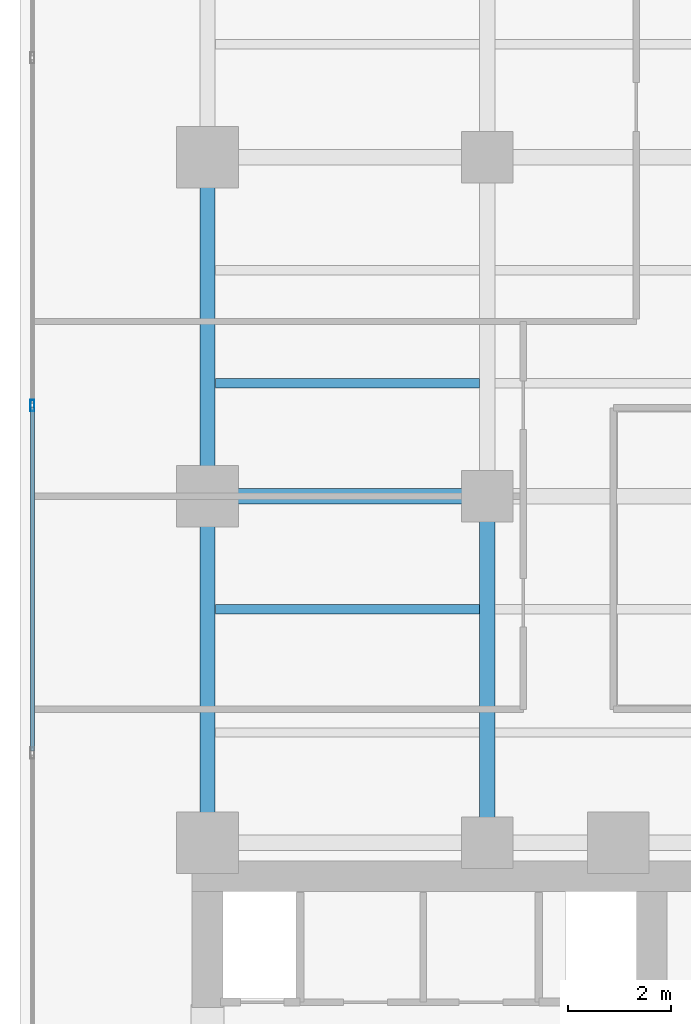
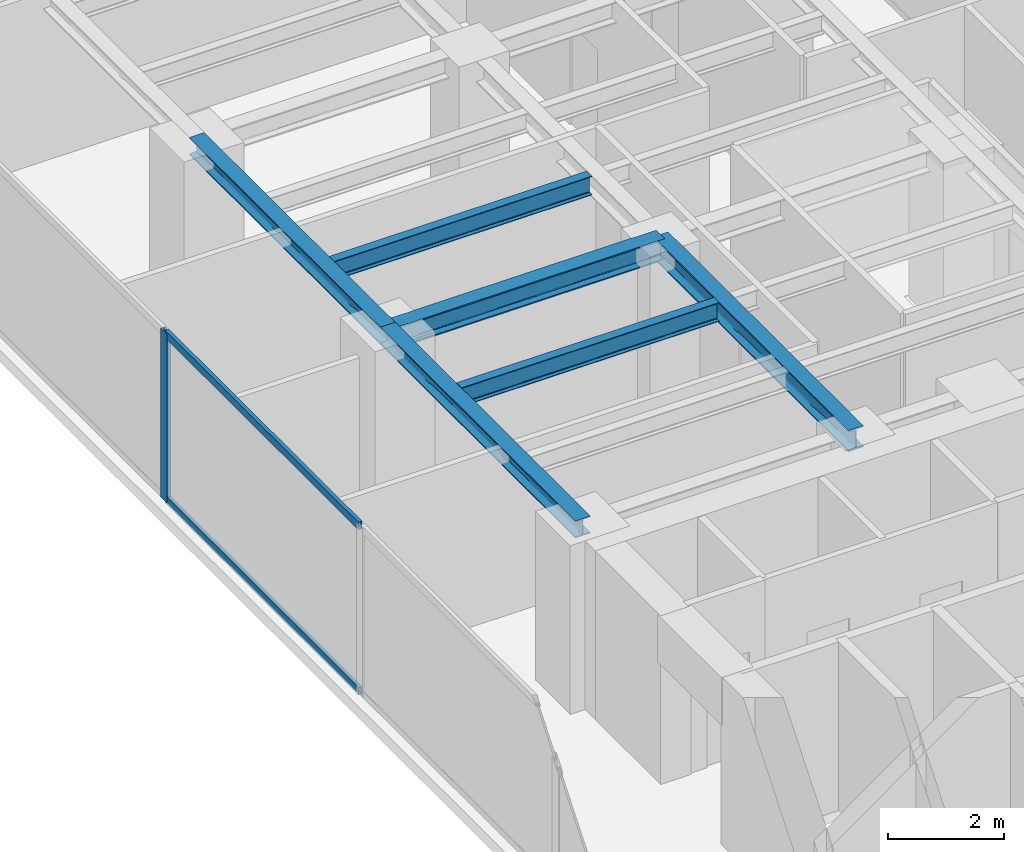
# One storey, part 7 of 26: 6 beams, 3 members, 1 element without a shape of its own.
"""IFC4 building model written with IfcOpenShell, lengths in metres."""

from ifc_helpers import new_model, si_unit, direction, frame, origin, origin_with_axes, origin_2d, place, context, subcontext, project, spatial, hollow_rectangle, i_section, extrude, source, transform, mapped, material, layer, layer_set, material_profile, profile_set, type_object, element, aggregate, save


model = new_model("IFC4")

# Units and contexts
model_context = context("Model", 3, precision=1e-05, world=origin(), true_north=direction((0.0, 1.0)))
body_context = subcontext(model_context, "Body", "Model", "MODEL_VIEW")
ifc_project = project(units=[si_unit("LENGTHUNIT", "METRE"), si_unit("AREAUNIT", "SQUARE_METRE"), si_unit("VOLUMEUNIT", "CUBIC_METRE"), si_unit("PLANEANGLEUNIT", "RADIAN"), si_unit("MASSUNIT", "GRAM", prefix="KILO")], contexts=[model_context])

# Site, building, storey
site_placement = place(None, origin())
site = spatial("IfcSite", under=ifc_project, at=site_placement, CompositionType="ELEMENT")
building_placement = place(site_placement, origin())
building = spatial("IfcBuilding", under=site, at=building_placement, Name="Kolvaren Waterfront Exchange", CompositionType="ELEMENT")
storey_placement = place(building_placement, frame((0.0, 0.0, 165.199951171875)))
storey = spatial("IfcBuildingStorey", under=building, at=storey_placement, Name="L42", CompositionType="ELEMENT", Elevation=165.199951171875)

# Beams
ifc_material_1 = material(Name="Steel S355", Category="steel")
ifc_material_profile_1 = material_profile(ifc_material_1, i_section(OverallWidth=0.300048828125, OverallDepth=0.360107421875, WebThickness=0.012451171875, FlangeThickness=0.0224609375, FilletRadius=0.027099609375, at=origin_2d()), Name="HEB360")
ifc_profile_set_1 = profile_set([ifc_material_profile_1], Name="Steel S355")
beam_type_1 = type_object("IfcBeamType", Name="STR-BM-HEB360", PredefinedType="SPANDREL", material=ifc_profile_set_1)
beam_1_placement = place(storey_placement, frame((7.449951171875, 24.449951171875, 3.380126953125), z_axis=(0.0, 1.0, 0.0), x_axis=(-1.0, 0.0, 0.0)))
element("IfcBeam", 1, at=beam_1_placement, inside=storey, type_object=beam_type_1, Name="L42 north-arm edge beam 1", PredefinedType="SPANDREL", context=body_context, shape_type="SweptSolid", body=[
    extrude(i_section(OverallWidth=0.300048828125, OverallDepth=0.360107421875, WebThickness=0.012451171875, FlangeThickness=0.0224609375, FilletRadius=0.027099609375, at=origin_2d()), origin(), (0.0, 0.0, 1.0), 6.75),
])
beam_2_placement = place(storey_placement, frame((7.449951171875, 31.199951171875, 3.380126953125), z_axis=(0.0, 1.0, 0.0), x_axis=(-1.0, 0.0, 0.0)))
element("IfcBeam", 2, at=beam_2_placement, inside=storey, type_object=beam_type_1, Name="L42 north-arm edge beam 2", PredefinedType="SPANDREL", context=body_context, shape_type="SweptSolid", body=[
    extrude(i_section(OverallWidth=0.300048828125, OverallDepth=0.360107421875, WebThickness=0.012451171875, FlangeThickness=0.0224609375, FilletRadius=0.027099609375, at=origin_2d()), origin(), (0.0, 0.0, 1.0), 6.60009765625),
])
ifc_material_profile_2 = material_profile(ifc_material_1, i_section(OverallWidth=0.300048828125, OverallDepth=0.449951171875, WebThickness=0.013916015625, FlangeThickness=0.02587890625, FilletRadius=0.027099609375, at=origin_2d()), Name="HEB450")
ifc_profile_set_2 = profile_set([ifc_material_profile_2], Name="Steel S355")
beam_type_2 = type_object("IfcBeamType", Name="STR-BM-HEB450", PredefinedType="BEAM", material=ifc_profile_set_2)
beam_3_placement = place(storey_placement, frame((7.449951171875, 31.199951171875, 3.3349609375), z_axis=(1.0, 0.0, 0.0), x_axis=(0.0, 1.0, 0.0)))
element("IfcBeam", 3, at=beam_3_placement, inside=storey, type_object=beam_type_2, Name="L42 north-arm girder 2A", PredefinedType="BEAM", context=body_context, shape_type="SweptSolid", body=[
    extrude(i_section(OverallWidth=0.300048828125, OverallDepth=0.449951171875, WebThickness=0.013916015625, FlangeThickness=0.02587890625, FilletRadius=0.027099609375, at=origin_2d()), origin(), (0.0, 0.0, 1.0), 5.449951171875),
])
beam_4_placement = place(storey_placement, frame((12.89990234375, 24.449951171875, 3.3349609375), z_axis=(0.0, 1.0, 0.0), x_axis=(-1.0, 0.0, 0.0)))
element("IfcBeam", 4, at=beam_4_placement, inside=storey, type_object=beam_type_2, Name="L42 north-arm edge beam 1", PredefinedType="BEAM", context=body_context, shape_type="SweptSolid", body=[
    extrude(i_section(OverallWidth=0.300048828125, OverallDepth=0.449951171875, WebThickness=0.013916015625, FlangeThickness=0.02587890625, FilletRadius=0.027099609375, at=origin_2d()), origin(), (0.0, 0.0, 1.0), 6.75),
])
ifc_material_profile_3 = material_profile(ifc_material_1, i_section(OverallWidth=0.179931640625, OverallDepth=0.39990234375, WebThickness=0.008544921875, FlangeThickness=0.013427734375, FilletRadius=0.02099609375, at=origin_2d()), Name="IPE400")
ifc_profile_set_3 = profile_set([ifc_material_profile_3], Name="Steel S355")
beam_type_3 = type_object("IfcBeamType", Name="STR-BM-IPE400", PredefinedType="JOIST", material=ifc_profile_set_3)
for number, where, z_axis, x_axis, name in (
    (5, (7.60205078125, 29.0, 3.360107421875), (1.0, 0.0, 0.0), (0.0, 1.0, 0.0), "L42 north-arm composite joist 2A"),
    (6, (7.60205078125, 33.39990234375, 3.360107421875), (1.0, 0.0, 0.0), (0.0, 1.0, 0.0), "L42 north-arm composite joist 3A"),
):
    element("IfcBeam", number, at=place(storey_placement, frame(where, z_axis=z_axis, x_axis=x_axis)), inside=storey, type_object=beam_type_3, Name=name, PredefinedType="JOIST", context=body_context, shape_type="SweptSolid", body=[
        extrude(i_section(OverallWidth=0.179931640625, OverallDepth=0.39990234375, WebThickness=0.008544921875, FlangeThickness=0.013427734375, FilletRadius=0.02099609375, at=origin_2d()), origin(), (0.0, 0.0, 1.0), 5.14599609375),
    ])

# Curtain wall, members
ifc_material_2 = material(Name="Anodised aluminium 6063-T6", Category="aluminium")
ifc_layer = layer(ifc_material_2, 0.219970703125, Name="Anodised aluminium 6063-T6")
ifc_layer_set = layer_set([ifc_layer], Name="Anodised aluminium 6063-T6")
curtain_wall_type = type_object("IfcCurtainWallType", Name="ARC-CW-SYS2", PredefinedType="USERDEFINED", material=ifc_layer_set)
curtain_wall_placement = place(storey_placement, origin())
curtain_wall = element("IfcCurtainWall", 7, at=curtain_wall_placement, inside=storey, type_object=curtain_wall_type, Name="L42 stick curtain wall CW2 (CW-L42-W)", ObjectType="STICK CURTAIN WALL", PredefinedType="USERDEFINED")
ifc_material_profile_4 = material_profile(ifc_material_2, hollow_rectangle(XDim=0.080078125, YDim=0.219970703125, WallThickness=0.0048828125, at=origin_2d()), Name="ALU-MUL-220x80x5")
ifc_profile_set_4 = profile_set([ifc_material_profile_4], Name="Anodised aluminium 6063-T6")
member_type_1 = type_object("IfcMemberType", Name="ARC-CWM-220", PredefinedType="MULLION", material=ifc_profile_set_4)
shared_shape_1 = source(origin_with_axes(), body_context, "Body", "SweptSolid", [
    extrude(hollow_rectangle(XDim=0.080078125, YDim=0.219970703125, WallThickness=0.0048828125, at=origin_2d()), origin(), (0.0, 0.0, 1.0), 3.56005859375),
])
member_1_placement = place(storey_placement, frame((4.0400390625, 32.966552734375, 0.0), z_axis=(0.0, 0.0, 1.0), x_axis=(-1.0, 0.0, 0.0)))
member_1 = element("IfcMember", 8, at=member_1_placement, type_object=member_type_1, Name="CW2 mullion 5", PredefinedType="MULLION", context=body_context, shape_type="MappedRepresentation", body=[
    mapped(shared_shape_1, transform((0.0, 0.0, 0.0), x_axis=(1.0, 0.0, 0.0), y_axis=(0.0, 1.0, 0.0), z_axis=(0.0, 0.0, 1.0), scale=1.0)),
])
ifc_material_profile_5 = material_profile(ifc_material_2, hollow_rectangle(XDim=0.074951171875, YDim=0.159912109375, WallThickness=0.00439453125, at=origin_2d()), Name="ALU-TRN-160x75x4.5")
ifc_profile_set_5 = profile_set([ifc_material_profile_5], Name="Anodised aluminium 6063-T6")
member_type_2 = type_object("IfcMemberType", Name="ARC-CWT-160", PredefinedType="USERDEFINED", material=ifc_profile_set_5)
shared_shape_2 = source(origin_with_axes(), body_context, "Body", "SweptSolid", [
    extrude(hollow_rectangle(XDim=0.074951171875, YDim=0.159912109375, WallThickness=0.00439453125, at=origin_2d()), origin(), (0.0, 0.0, 1.0), 6.686767578125),
])
member_2_placement = place(storey_placement, frame((4.0400390625, 26.239990234375, 0.03759765625), z_axis=(0.0, 1.0, 0.0), x_axis=(-1.0, 0.0, 0.0)))
member_2 = element("IfcMember", 9, at=member_2_placement, type_object=member_type_2, Name="CW2 transom 4.1", ObjectType="TRANSOM", PredefinedType="USERDEFINED", context=body_context, shape_type="MappedRepresentation", body=[
    mapped(shared_shape_2, transform((0.0, 0.0, 0.0), x_axis=(1.0, 0.0, 0.0), y_axis=(0.0, 1.0, 0.0), z_axis=(0.0, 0.0, 1.0), scale=1.0)),
])
member_3_placement = place(storey_placement, frame((4.0400390625, 26.239990234375, 3.5224609375), z_axis=(0.0, 1.0, 0.0), x_axis=(-1.0, 0.0, 0.0)))
member_3 = element("IfcMember", 10, at=member_3_placement, type_object=member_type_2, Name="CW2 transom 4.2", ObjectType="TRANSOM", PredefinedType="USERDEFINED", context=body_context, shape_type="MappedRepresentation", body=[
    mapped(shared_shape_2, transform((0.0, 0.0, 0.0), x_axis=(1.0, 0.0, 0.0), y_axis=(0.0, 1.0, 0.0), z_axis=(0.0, 0.0, 1.0), scale=1.0)),
])
aggregate(curtain_wall, [member_1, member_2, member_3])

save(model, "model.ifc")
